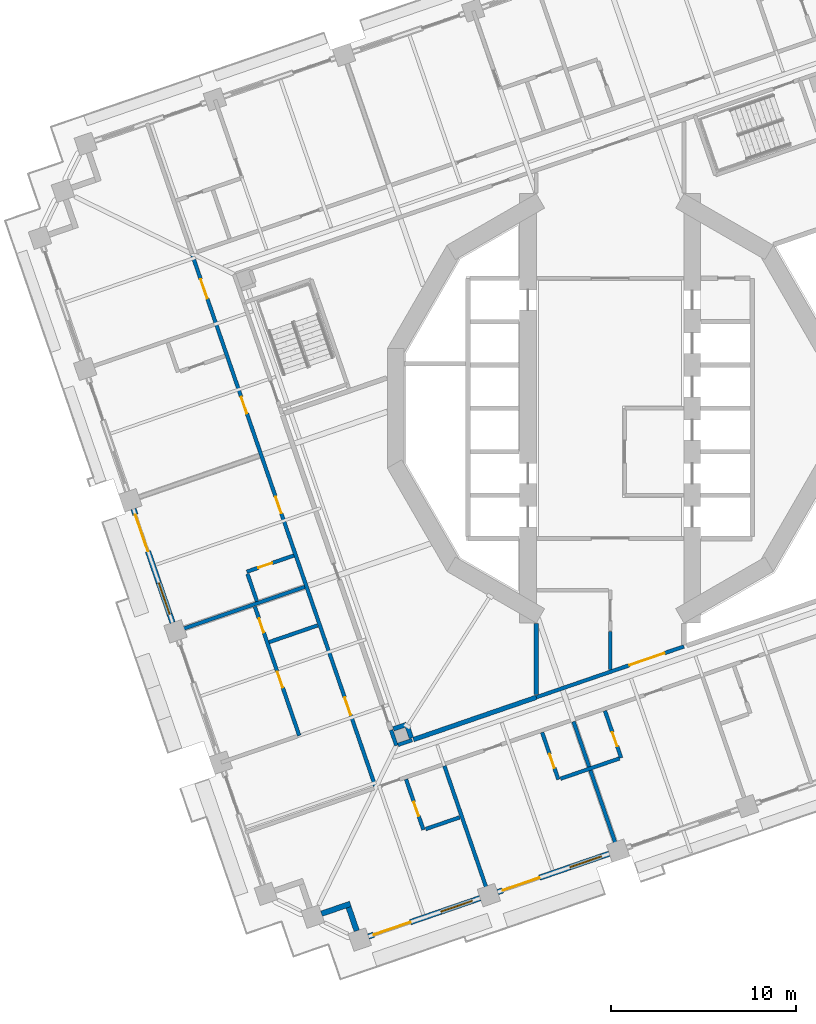
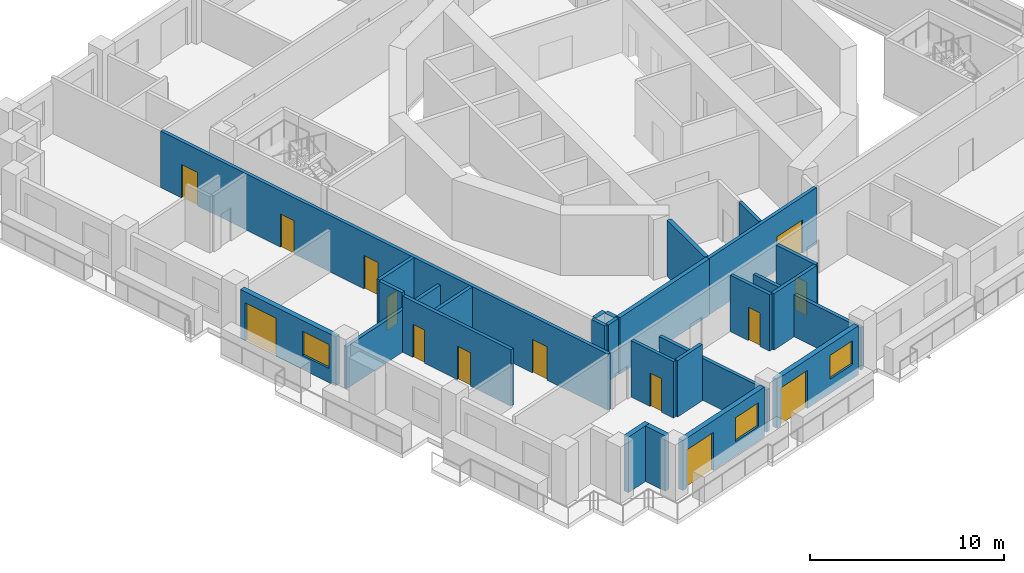
# One storey, part 8 of 21: 26 walls, 14 doors, 3 windows, 17 openings.
"""IFC4 building model written with IfcOpenShell, lengths in metres."""

from ifc_helpers import new_model, si_unit, direction, frame, frame_2d, origin, place, context, subcontext, project, spatial, rectangle, extrude, material, layer, layer_set, type_object, element, fill, save


model = new_model("IFC4")

# Units and contexts
model_context = context("Model", 3, precision=1e-05, world=origin(), true_north=direction((0.0, 1.0)))
body_context = subcontext(model_context, "Body", "Model", "MODEL_VIEW")
ifc_project = project(units=[si_unit("LENGTHUNIT", "METRE"), si_unit("AREAUNIT", "SQUARE_METRE"), si_unit("VOLUMEUNIT", "CUBIC_METRE"), si_unit("PLANEANGLEUNIT", "RADIAN"), si_unit("MASSUNIT", "GRAM", prefix="KILO")], contexts=[model_context])

# Site, building, storey
site_placement = place(None, origin())
site = spatial("IfcSite", under=ifc_project, at=site_placement, CompositionType="ELEMENT")
building_placement = place(site_placement, origin())
building = spatial("IfcBuilding", under=site, at=building_placement, Name="Cantera Rosa Tower", CompositionType="ELEMENT")
storey_placement = place(building_placement, frame((0.0, 0.0, 119.300048828125)))
storey = spatial("IfcBuildingStorey", under=building, at=storey_placement, Name="L24", CompositionType="ELEMENT", Elevation=119.300048828125)

# Wall, openings, doors
ifc_material_1 = material(Name="Gypsum board partition")
ifc_layer_1 = layer(ifc_material_1, 0.199951171875)
ifc_layer_set_1 = layer_set([ifc_layer_1], Name="CORRIDOR WALL 200 H3550")
wall_type_1 = type_object("IfcWallType", Name="CORRIDOR WALL 200 H3550", PredefinedType="PARTITIONING", material=ifc_layer_set_1)
wall_1_placement = place(storey_placement, frame((-22.656005859375, 8.359375, 0.0), z_axis=(0.0, 0.0, 1.0), x_axis=(0.325572380533, -0.945517120434, 0.0)))
wall_1 = element("IfcWall", 1, at=wall_1_placement, inside=storey, type_object=wall_type_1, Name="CORRIDOR WALL L24-004", PredefinedType="PARTITIONING", context=body_context, shape_type="SweptSolid", body=[
    extrude(rectangle(XDim=30.580078125, YDim=0.199951171875, at=frame_2d((15.2900390625, 0.0))), origin(), (0.0, 0.0, 1.0), 3.550048828125),
])
opening_1_placement = place(wall_1_placement, frame((8.18505859375, 0.0, 0.0)))
opening_1 = element("IfcOpeningElement", 2, at=opening_1_placement, cuts=wall_1, Name="Opening L24-027", PredefinedType="OPENING", context=body_context, shape_type="SweptSolid", body=[
    extrude(rectangle(XDim=0.949951171875, YDim=2.10009765625, at=frame_2d((0.47509765625, 1.050048828125))), frame((0.0, 0.10986328125, 0.0), z_axis=(0.0, -1.0, 0.0), x_axis=(1.0, 0.0, 0.0)), (0.0, 0.0, 1.0), 0.219970703125),
])
opening_2_placement = place(wall_1_placement, frame((13.905029296875, 0.0, 0.0)))
opening_2 = element("IfcOpeningElement", 3, at=opening_2_placement, cuts=wall_1, Name="Opening L24-029", PredefinedType="OPENING", context=body_context, shape_type="SweptSolid", body=[
    extrude(rectangle(XDim=0.949951171875, YDim=2.10009765625, at=frame_2d((0.47509765625, 1.050048828125))), frame((0.0, 0.10986328125, 0.0), z_axis=(0.0, -1.0, 0.0), x_axis=(1.0, 0.0, 0.0)), (0.0, 0.0, 1.0), 0.219970703125),
])
opening_3_placement = place(wall_1_placement, frame((25.409912109375, 0.0, 0.0)))
opening_3 = element("IfcOpeningElement", 4, at=opening_3_placement, cuts=wall_1, Name="Opening L24-031", PredefinedType="OPENING", context=body_context, shape_type="SweptSolid", body=[
    extrude(rectangle(XDim=1.0, YDim=2.10009765625, at=frame_2d((0.5, 1.050048828125))), frame((0.0, 0.10986328125, 0.0), z_axis=(0.0, -1.0, 0.0), x_axis=(1.0, 0.0, 0.0)), (0.0, 0.0, 1.0), 0.219970703125),
])
opening_4_placement = place(wall_1_placement, frame((1.43994140625, 0.0, 0.0)))
opening_4 = element("IfcOpeningElement", 5, at=opening_4_placement, cuts=wall_1, Name="Opening L24-034", PredefinedType="OPENING", context=body_context, shape_type="SweptSolid", body=[
    extrude(rectangle(XDim=1.10009765625, YDim=2.10009765625, at=frame_2d((0.550048828125, 1.050048828125))), frame((0.0, 0.10986328125, 0.0), z_axis=(0.0, -1.0, 0.0), x_axis=(1.0, 0.0, 0.0)), (0.0, 0.0, 1.0), 0.219970703125),
])
ifc_material_2 = material(Name="Timber door leaf", Category="wood")
door_type_1 = type_object("IfcDoorType", Name="ENTRANCE DOOR 1000x2100", OperationType="NOTDEFINED", PredefinedType="DOOR", material=ifc_material_2)
door_1_placement = place(opening_3_placement, origin())
door_1 = element("IfcDoor", 6, at=door_1_placement, inside=storey, type_object=door_type_1, Name="DOOR L24-031", OperationType="NOTDEFINED", OverallHeight=2.10009765625, OverallWidth=1.0, PredefinedType="DOOR", context=body_context, shape_type="SweptSolid", body=[
    extrude(rectangle(XDim=1.0, YDim=2.10009765625, at=frame_2d((0.5, 1.050048828125))), frame((0.0, 0.02490234375, 0.0), z_axis=(0.0, -1.0, 0.0), x_axis=(1.0, 0.0, 0.0)), (0.0, 0.0, 1.0), 0.050048828125),
])
fill(opening_3, door_1)
ifc_material_3 = material(Name="Timber door leaf", Category="wood")
door_type_2 = type_object("IfcDoorType", Name="ROOM DOOR 1100x2100", OperationType="NOTDEFINED", PredefinedType="DOOR", material=ifc_material_3)
door_2_placement = place(opening_4_placement, origin())
door_2 = element("IfcDoor", 7, at=door_2_placement, inside=storey, type_object=door_type_2, Name="DOOR L24-034", OperationType="NOTDEFINED", OverallHeight=2.10009765625, OverallWidth=1.10009765625, PredefinedType="DOOR", context=body_context, shape_type="SweptSolid", body=[
    extrude(rectangle(XDim=1.10009765625, YDim=2.10009765625, at=frame_2d((0.550048828125, 1.050048828125))), frame((0.0, 0.02490234375, 0.0), z_axis=(0.0, -1.0, 0.0), x_axis=(1.0, 0.0, 0.0)), (0.0, 0.0, 1.0), 0.050048828125),
])
fill(opening_4, door_2)
ifc_material_4 = material(Name="Timber door leaf", Category="wood")
door_type_3 = type_object("IfcDoorType", Name="ROOM DOOR 950x2100", OperationType="NOTDEFINED", PredefinedType="DOOR", material=ifc_material_4)
door_3_placement = place(opening_1_placement, origin())
door_3 = element("IfcDoor", 8, at=door_3_placement, inside=storey, type_object=door_type_3, Name="DOOR L24-027", OperationType="NOTDEFINED", OverallHeight=2.10009765625, OverallWidth=0.949951171875, PredefinedType="DOOR", context=body_context, shape_type="SweptSolid", body=[
    extrude(rectangle(XDim=0.949951171875, YDim=2.10009765625, at=frame_2d((0.47509765625, 1.050048828125))), frame((0.0, 0.02490234375, 0.0), z_axis=(0.0, -1.0, 0.0), x_axis=(1.0, 0.0, 0.0)), (0.0, 0.0, 1.0), 0.050048828125),
])
fill(opening_1, door_3)
door_4_placement = place(opening_2_placement, origin())
door_4 = element("IfcDoor", 9, at=door_4_placement, inside=storey, type_object=door_type_3, Name="DOOR L24-029", OperationType="NOTDEFINED", OverallHeight=2.10009765625, OverallWidth=0.949951171875, PredefinedType="DOOR", context=body_context, shape_type="SweptSolid", body=[
    extrude(rectangle(XDim=0.949951171875, YDim=2.10009765625, at=frame_2d((0.47509765625, 1.050048828125))), frame((0.0, 0.02490234375, 0.0), z_axis=(0.0, -1.0, 0.0), x_axis=(1.0, 0.0, 0.0)), (0.0, 0.0, 1.0), 0.050048828125),
])
fill(opening_2, door_4)

# Walls
wall_2_placement = place(storey_placement, frame((-11.87060546875, -17.4345703125, 0.0), z_axis=(0.0, 0.0, 1.0), x_axis=(0.325699973339, -0.94547317644, 0.0)))
element("IfcWall", 10, at=wall_2_placement, inside=storey, type_object=wall_type_1, Name="CORRIDOR WALL L24-030", PredefinedType="PARTITIONING", context=body_context, shape_type="SweptSolid", body=[
    extrude(rectangle(XDim=0.880126953125, YDim=0.199951171875, at=frame_2d((0.43994140625, 0.0))), origin(), (0.0, 0.0, 1.0), 3.550048828125),
])
wall_3_placement = place(storey_placement, frame((-11.489501953125, -18.23388671875, 0.0), z_axis=(0.0, 0.0, 1.0), x_axis=(0.945586856903, 0.325369783557, 0.0)))
element("IfcWall", 11, at=wall_3_placement, inside=storey, type_object=wall_type_1, Name="CORRIDOR WALL L24-031", PredefinedType="PARTITIONING", context=body_context, shape_type="SweptSolid", body=[
    extrude(rectangle(XDim=0.7998046875, YDim=0.199951171875, at=frame_2d((0.39990234375, 0.0))), origin(), (0.0, 0.0, 1.0), 3.550048828125),
])

# Wall, opening, door
wall_4_placement = place(storey_placement, frame((-4.0, -15.6552734375, 0.0), z_axis=(0.0, 0.0, 1.0), x_axis=(0.945517929243, 0.325570031606, 0.0)))
wall_4 = element("IfcWall", 12, at=wall_4_placement, inside=storey, type_object=wall_type_1, Name="CORRIDOR WALL L24-048", PredefinedType="PARTITIONING", context=body_context, shape_type="SweptSolid", body=[
    extrude(rectangle(XDim=8.4609375, YDim=0.199951171875, at=frame_2d((4.23046875, 0.0))), origin(), (0.0, 0.0, 1.0), 3.550048828125),
])
opening_5_placement = place(wall_4_placement, frame((5.345703125, 0.0, 0.0)))
opening_5 = element("IfcOpeningElement", 13, at=opening_5_placement, cuts=wall_4, Name="Opening L24-009", PredefinedType="OPENING", context=body_context, shape_type="SweptSolid", body=[
    extrude(rectangle(XDim=2.0, YDim=2.10009765625, at=frame_2d((1.0, 1.050048828125))), frame((0.0, 0.10986328125, 0.0), z_axis=(0.0, -1.0, 0.0), x_axis=(1.0, 0.0, 0.0)), (0.0, 0.0, 1.0), 0.219970703125),
])
ifc_material_5 = material(Name="Steel S355J2 (EN 10025-2)", Category="steel")
door_type_4 = type_object("IfcDoorType", Name="LOBBY SCREEN DOOR 2000x2100", OperationType="NOTDEFINED", PredefinedType="DOOR", material=ifc_material_5)
door_5_placement = place(opening_5_placement, origin())
door_5 = element("IfcDoor", 14, at=door_5_placement, inside=storey, type_object=door_type_4, Name="DOOR L24-009", OperationType="NOTDEFINED", OverallHeight=2.10009765625, OverallWidth=2.0, PredefinedType="DOOR", context=body_context, shape_type="SweptSolid", body=[
    extrude(rectangle(XDim=2.0, YDim=2.10009765625, at=frame_2d((1.0, 1.050048828125))), frame((0.0, 0.02490234375, 0.0), z_axis=(0.0, -1.0, 0.0), x_axis=(1.0, 0.0, 0.0)), (0.0, 0.0, 1.0), 0.050048828125),
])
fill(opening_5, door_5)

# Walls
wall_5_placement = place(storey_placement, frame((0.0, -14.137939453125, 0.0), z_axis=(0.0, 0.0, 1.0), x_axis=(0.0, 1.0, 0.0)))
element("IfcWall", 15, at=wall_5_placement, inside=storey, type_object=wall_type_1, Name="CORRIDOR WALL L24-060", PredefinedType="PARTITIONING", context=body_context, shape_type="SweptSolid", body=[
    extrude(rectangle(XDim=2.033935546875, YDim=0.199951171875, at=frame_2d((1.01708984375, 0.0))), origin(), (0.0, 0.0, 1.0), 3.550048828125),
])
ifc_material_6 = material(Name="Hollow clay masonry with cantera stone cladding", Category="masonry")
ifc_layer_2 = layer(ifc_material_6, 0.300048828125)
ifc_layer_set_2 = layer_set([ifc_layer_2], Name="EW-LOGGIA 300")
wall_type_2 = type_object("IfcWallType", Name="EW-LOGGIA 300", PredefinedType="SOLIDWALL", material=ifc_layer_set_2)
wall_6_placement = place(storey_placement, frame((-15.636962890625, -27.3828125, 0.0), z_axis=(0.0, 0.0, 1.0), x_axis=(0.945484566827, 0.325666906351, 0.0)))
element("IfcWall", 16, at=wall_6_placement, inside=storey, type_object=wall_type_2, Name="EN-L24-W22a", PredefinedType="SOLIDWALL", context=body_context, shape_type="SweptSolid", body=[
    extrude(rectangle(XDim=1.64990234375, YDim=0.300048828125, at=frame_2d((0.824951171875, 0.0))), origin(), (0.0, 0.0, 1.0), 3.5),
])
wall_7_placement = place(storey_placement, frame((-14.169921875, -27.0361328125, 0.0), z_axis=(0.0, 0.0, 1.0), x_axis=(0.325650742363, -0.945490134268, 0.0)))
element("IfcWall", 17, at=wall_7_placement, inside=storey, type_object=wall_type_2, Name="EN-L24-W22b", PredefinedType="SOLIDWALL", context=body_context, shape_type="SweptSolid", body=[
    extrude(rectangle(XDim=1.35009765625, YDim=0.300048828125, at=frame_2d((0.675048828125, 0.0))), origin(), (0.0, 0.0, 1.0), 3.5),
])

# Wall, openings, window, door
ifc_material_7 = material(Name="Hollow clay masonry with cantera stone cladding", Category="masonry")
ifc_layer_3 = layer(ifc_material_7, 0.300048828125)
ifc_layer_set_3 = layer_set([ifc_layer_3], Name="EW-LOGGIA 300 H3090")
wall_type_3 = type_object("IfcWallType", Name="EW-LOGGIA 300 H3090", PredefinedType="SOLIDWALL", material=ifc_layer_set_3)
wall_8_placement = place(storey_placement, frame((-25.833984375, -5.447509765625, 0.0), z_axis=(0.0, 0.0, 1.0), x_axis=(0.325580990241, -0.945514155787, 0.0)))
wall_8 = element("IfcWall", 18, at=wall_8_placement, inside=storey, type_object=wall_type_3, Name="EN-L24-W18", PredefinedType="SOLIDWALL", context=body_context, shape_type="SweptSolid", body=[
    extrude(rectangle(XDim=6.52001953125, YDim=0.300048828125, at=frame_2d((3.260009765625, 0.0))), origin(), (0.0, 0.0, 1.0), 3.08984375),
])
opening_6_placement = place(wall_8_placement, frame((0.330078125, 0.0, 0.0)))
opening_6 = element("IfcOpeningElement", 19, at=opening_6_placement, cuts=wall_8, Name="Opening L24-TD23", PredefinedType="OPENING", context=body_context, shape_type="SweptSolid", body=[
    extrude(rectangle(XDim=2.10009765625, YDim=2.39990234375, at=frame_2d((1.050048828125, 1.199951171875))), frame((0.0, 0.159912109375, 0.0), z_axis=(0.0, -1.0, 0.0), x_axis=(1.0, 0.0, 0.0)), (0.0, 0.0, 1.0), 0.320068359375),
])
opening_7_placement = place(wall_8_placement, frame((4.239990234375, 0.0, 0.89990234375)))
opening_7 = element("IfcOpeningElement", 20, at=opening_7_placement, cuts=wall_8, Name="Opening L24-W24", PredefinedType="OPENING", context=body_context, shape_type="SweptSolid", body=[
    extrude(rectangle(XDim=1.800048828125, YDim=1.5, at=frame_2d((0.89990234375, 0.75))), frame((0.0, 0.159912109375, 0.0), z_axis=(0.0, -1.0, 0.0), x_axis=(1.0, 0.0, 0.0)), (0.0, 0.0, 1.0), 0.320068359375),
])
ifc_material_8 = material(Name="Aluminium frame with clear glass", Category="aluminium")
window_type = type_object("IfcWindowType", Name="Hotel room window 1800x1500", PartitioningType="DOUBLE_PANEL_VERTICAL", PredefinedType="WINDOW", material=ifc_material_8)
window_1_placement = place(opening_7_placement, origin())
window_1 = element("IfcWindow", 21, at=window_1_placement, inside=storey, type_object=window_type, Name="WINDOW L24-W24", OverallHeight=1.5, OverallWidth=1.800048828125, PartitioningType="SINGLE_PANEL", PredefinedType="WINDOW", context=body_context, shape_type="SweptSolid", body=[
    extrude(rectangle(XDim=1.800048828125, YDim=1.5, at=frame_2d((0.89990234375, 0.75))), frame((0.0, 0.030029296875, 0.0), z_axis=(0.0, -1.0, 0.0), x_axis=(1.0, 0.0, 0.0)), (0.0, 0.0, 1.0), 0.06005859375),
])
fill(opening_7, window_1)
ifc_material_9 = material(Name="Aluminium frame with clear glass", Category="aluminium")
door_type_5 = type_object("IfcDoorType", Name="TD-H 2100x2400", OperationType="NOTDEFINED", PredefinedType="DOOR", material=ifc_material_9)
door_6_placement = place(opening_6_placement, origin())
door_6 = element("IfcDoor", 22, at=door_6_placement, inside=storey, type_object=door_type_5, Name="LOGGIA DOOR L24-TD23", OperationType="SLIDING_TO_LEFT", OverallHeight=2.39990234375, OverallWidth=2.10009765625, PredefinedType="DOOR", context=body_context, shape_type="SweptSolid", body=[
    extrude(rectangle(XDim=2.10009765625, YDim=2.39990234375, at=frame_2d((1.050048828125, 1.199951171875))), frame((0.0, 0.02490234375, 0.0), z_axis=(0.0, -1.0, 0.0), x_axis=(1.0, 0.0, 0.0)), (0.0, 0.0, 1.0), 0.050048828125),
])
fill(opening_6, door_6)

wall_9_placement = place(storey_placement, frame((-6.097900390625, -26.21337890625, 0.0), z_axis=(0.0, 0.0, 1.0), x_axis=(0.945524496524, 0.325550958337, 0.0)))
wall_9 = element("IfcWall", 23, at=wall_9_placement, inside=storey, type_object=wall_type_3, Name="EN-L24-W24", PredefinedType="SOLIDWALL", context=body_context, shape_type="SweptSolid", body=[
    extrude(rectangle(XDim=6.39990234375, YDim=0.300048828125, at=frame_2d((3.199951171875, 0.0))), origin(), (0.0, 0.0, 1.0), 3.08984375),
])
opening_8_placement = place(wall_9_placement, frame((0.300048828125, 0.0, 0.0)))
opening_8 = element("IfcOpeningElement", 24, at=opening_8_placement, cuts=wall_9, Name="Opening L24-TD31", PredefinedType="OPENING", context=body_context, shape_type="SweptSolid", body=[
    extrude(rectangle(XDim=2.10009765625, YDim=2.39990234375, at=frame_2d((1.050048828125, 1.199951171875))), frame((0.0, 0.159912109375, 0.0), z_axis=(0.0, -1.0, 0.0), x_axis=(1.0, 0.0, 0.0)), (0.0, 0.0, 1.0), 0.320068359375),
])
opening_9_placement = place(wall_9_placement, frame((4.14990234375, 0.0, 0.89990234375)))
opening_9 = element("IfcOpeningElement", 25, at=opening_9_placement, cuts=wall_9, Name="Opening L24-W32", PredefinedType="OPENING", context=body_context, shape_type="SweptSolid", body=[
    extrude(rectangle(XDim=1.800048828125, YDim=1.5, at=frame_2d((0.89990234375, 0.75))), frame((0.0, 0.159912109375, 0.0), z_axis=(0.0, -1.0, 0.0), x_axis=(1.0, 0.0, 0.0)), (0.0, 0.0, 1.0), 0.320068359375),
])
window_2_placement = place(opening_9_placement, origin())
window_2 = element("IfcWindow", 26, at=window_2_placement, inside=storey, type_object=window_type, Name="WINDOW L24-W32", OverallHeight=1.5, OverallWidth=1.800048828125, PartitioningType="SINGLE_PANEL", PredefinedType="WINDOW", context=body_context, shape_type="SweptSolid", body=[
    extrude(rectangle(XDim=1.800048828125, YDim=1.5, at=frame_2d((0.89990234375, 0.75))), frame((0.0, 0.030029296875, 0.0), z_axis=(0.0, -1.0, 0.0), x_axis=(1.0, 0.0, 0.0)), (0.0, 0.0, 1.0), 0.06005859375),
])
fill(opening_9, window_2)
door_7_placement = place(opening_8_placement, origin())
door_7 = element("IfcDoor", 27, at=door_7_placement, inside=storey, type_object=door_type_5, Name="LOGGIA DOOR L24-TD31", OperationType="SLIDING_TO_LEFT", OverallHeight=2.39990234375, OverallWidth=2.10009765625, PredefinedType="DOOR", context=body_context, shape_type="SweptSolid", body=[
    extrude(rectangle(XDim=2.10009765625, YDim=2.39990234375, at=frame_2d((1.050048828125, 1.199951171875))), frame((0.0, 0.02490234375, 0.0), z_axis=(0.0, -1.0, 0.0), x_axis=(1.0, 0.0, 0.0)), (0.0, 0.0, 1.0), 0.050048828125),
])
fill(opening_8, door_7)

ifc_material_10 = material(Name="Hollow clay masonry with cantera stone cladding", Category="masonry")
ifc_layer_4 = layer(ifc_material_10, 0.300048828125)
ifc_layer_set_4 = layer_set([ifc_layer_4], Name="EW-LOGGIA 300 H3140")
wall_type_4 = type_object("IfcWallType", Name="EW-LOGGIA 300 H3140", PredefinedType="SOLIDWALL", material=ifc_layer_set_4)
wall_10_placement = place(storey_placement, frame((-13.0947265625, -28.62255859375, 0.0), z_axis=(0.0, 0.0, 1.0), x_axis=(0.945524496524, 0.325550958337, 0.0)))
wall_10 = element("IfcWall", 28, at=wall_10_placement, inside=storey, type_object=wall_type_4, Name="EN-L24-W23", PredefinedType="SOLIDWALL", context=body_context, shape_type="SweptSolid", body=[
    extrude(rectangle(XDim=6.39990234375, YDim=0.300048828125, at=frame_2d((3.199951171875, 0.0))), origin(), (0.0, 0.0, 1.0), 3.139892578125),
])
opening_10_placement = place(wall_10_placement, frame((0.300048828125, 0.0, 0.0)))
opening_10 = element("IfcOpeningElement", 29, at=opening_10_placement, cuts=wall_10, Name="Opening L24-TD29", PredefinedType="OPENING", context=body_context, shape_type="SweptSolid", body=[
    extrude(rectangle(XDim=2.10009765625, YDim=2.39990234375, at=frame_2d((1.050048828125, 1.199951171875))), frame((0.0, 0.159912109375, 0.0), z_axis=(0.0, -1.0, 0.0), x_axis=(1.0, 0.0, 0.0)), (0.0, 0.0, 1.0), 0.320068359375),
])
opening_11_placement = place(wall_10_placement, frame((4.14990234375, 0.0, 0.89990234375)))
opening_11 = element("IfcOpeningElement", 30, at=opening_11_placement, cuts=wall_10, Name="Opening L24-W30", PredefinedType="OPENING", context=body_context, shape_type="SweptSolid", body=[
    extrude(rectangle(XDim=1.800048828125, YDim=1.5, at=frame_2d((0.89990234375, 0.75))), frame((0.0, 0.159912109375, 0.0), z_axis=(0.0, -1.0, 0.0), x_axis=(1.0, 0.0, 0.0)), (0.0, 0.0, 1.0), 0.320068359375),
])
window_3_placement = place(opening_11_placement, origin())
window_3 = element("IfcWindow", 31, at=window_3_placement, inside=storey, type_object=window_type, Name="WINDOW L24-W30", OverallHeight=1.5, OverallWidth=1.800048828125, PartitioningType="SINGLE_PANEL", PredefinedType="WINDOW", context=body_context, shape_type="SweptSolid", body=[
    extrude(rectangle(XDim=1.800048828125, YDim=1.5, at=frame_2d((0.89990234375, 0.75))), frame((0.0, 0.030029296875, 0.0), z_axis=(0.0, -1.0, 0.0), x_axis=(1.0, 0.0, 0.0)), (0.0, 0.0, 1.0), 0.06005859375),
])
fill(opening_11, window_3)
door_8_placement = place(opening_10_placement, origin())
door_8 = element("IfcDoor", 32, at=door_8_placement, inside=storey, type_object=door_type_5, Name="LOGGIA DOOR L24-TD29", OperationType="SLIDING_TO_LEFT", OverallHeight=2.39990234375, OverallWidth=2.10009765625, PredefinedType="DOOR", context=body_context, shape_type="SweptSolid", body=[
    extrude(rectangle(XDim=2.10009765625, YDim=2.39990234375, at=frame_2d((1.050048828125, 1.199951171875))), frame((0.0, 0.02490234375, 0.0), z_axis=(0.0, -1.0, 0.0), x_axis=(1.0, 0.0, 0.0)), (0.0, 0.0, 1.0), 0.050048828125),
])
fill(opening_10, door_8)

# Wall, opening, door
ifc_material_11 = material(Name="Gypsum board partition")
ifc_layer_5 = layer(ifc_material_11, 0.199951171875)
ifc_layer_set_5 = layer_set([ifc_layer_5], Name="PARTITION 200 H3550")
wall_type_5 = type_object("IfcWallType", Name="PARTITION 200 H3550", PredefinedType="PARTITIONING", material=ifc_layer_set_5)
wall_11_placement = place(storey_placement, frame((-19.6904296875, -8.852783203125, 0.0), z_axis=(0.0, 0.0, 1.0), x_axis=(0.945526634763, 0.325544748006, 0.0)))
wall_11 = element("IfcWall", 33, at=wall_11_placement, inside=storey, type_object=wall_type_5, Name="PARTITION L24-013", PredefinedType="PARTITIONING", context=body_context, shape_type="SweptSolid", body=[
    extrude(rectangle(XDim=2.69970703125, YDim=0.199951171875, at=frame_2d((1.349853515625, 0.0))), origin(), (0.0, 0.0, 1.0), 3.550048828125),
])
opening_12_placement = place(wall_11_placement, frame((0.6640625, 0.0, 0.0)))
opening_12 = element("IfcOpeningElement", 34, at=opening_12_placement, cuts=wall_11, Name="Opening L24-030", PredefinedType="OPENING", context=body_context, shape_type="SweptSolid", body=[
    extrude(rectangle(XDim=0.800048828125, YDim=2.10009765625, at=frame_2d((0.39990234375, 1.050048828125))), frame((0.0, 0.10986328125, 0.0), z_axis=(0.0, -1.0, 0.0), x_axis=(1.0, 0.0, 0.0)), (0.0, 0.0, 1.0), 0.219970703125),
])
ifc_material_12 = material(Name="Timber door leaf", Category="wood")
door_type_6 = type_object("IfcDoorType", Name="BATHROOM DOOR 800x2100", OperationType="NOTDEFINED", PredefinedType="DOOR", material=ifc_material_12)
door_9_placement = place(opening_12_placement, origin())
door_9 = element("IfcDoor", 35, at=door_9_placement, inside=storey, type_object=door_type_6, Name="DOOR L24-030", OperationType="NOTDEFINED", OverallHeight=2.10009765625, OverallWidth=0.800048828125, PredefinedType="DOOR", context=body_context, shape_type="SweptSolid", body=[
    extrude(rectangle(XDim=0.800048828125, YDim=2.10009765625, at=frame_2d((0.39990234375, 1.050048828125))), frame((0.0, 0.02490234375, 0.0), z_axis=(0.0, -1.0, 0.0), x_axis=(1.0, 0.0, 0.0)), (0.0, 0.0, 1.0), 0.050048828125),
])
fill(opening_12, door_9)

# Wall, openings, doors
wall_12_placement = place(storey_placement, frame((-19.25439453125, -10.7333984375, 0.0), z_axis=(0.0, 0.0, 1.0), x_axis=(0.325565645331, -0.945519439557, 0.0)))
wall_12 = element("IfcWall", 36, at=wall_12_placement, inside=storey, type_object=wall_type_5, Name="PARTITION L24-014", PredefinedType="PARTITIONING", context=body_context, shape_type="SweptSolid", body=[
    extrude(rectangle(XDim=7.39990234375, YDim=0.199951171875, at=frame_2d((3.699951171875, 0.0))), origin(), (0.0, 0.0, 1.0), 3.550048828125),
])
opening_13_placement = place(wall_12_placement, frame((3.739990234375, 0.0, 0.0)))
opening_13 = element("IfcOpeningElement", 37, at=opening_13_placement, cuts=wall_12, Name="Opening L24-032", PredefinedType="OPENING", context=body_context, shape_type="SweptSolid", body=[
    extrude(rectangle(XDim=0.89990234375, YDim=2.10009765625, at=frame_2d((0.449951171875, 1.050048828125))), frame((0.0, 0.10986328125, 0.0), z_axis=(0.0, -1.0, 0.0), x_axis=(1.0, 0.0, 0.0)), (0.0, 0.0, 1.0), 0.219970703125),
])
opening_14_placement = place(wall_12_placement, frame((0.68994140625, 0.0, 0.0)))
opening_14 = element("IfcOpeningElement", 38, at=opening_14_placement, cuts=wall_12, Name="Opening L24-033", PredefinedType="OPENING", context=body_context, shape_type="SweptSolid", body=[
    extrude(rectangle(XDim=0.800048828125, YDim=2.10009765625, at=frame_2d((0.39990234375, 1.050048828125))), frame((0.0, 0.10986328125, 0.0), z_axis=(0.0, -1.0, 0.0), x_axis=(1.0, 0.0, 0.0)), (0.0, 0.0, 1.0), 0.219970703125),
])
door_10_placement = place(opening_14_placement, origin())
door_10 = element("IfcDoor", 39, at=door_10_placement, inside=storey, type_object=door_type_6, Name="DOOR L24-033", OperationType="NOTDEFINED", OverallHeight=2.10009765625, OverallWidth=0.800048828125, PredefinedType="DOOR", context=body_context, shape_type="SweptSolid", body=[
    extrude(rectangle(XDim=0.800048828125, YDim=2.10009765625, at=frame_2d((0.39990234375, 1.050048828125))), frame((0.0, 0.02490234375, 0.0), z_axis=(0.0, -1.0, 0.0), x_axis=(1.0, 0.0, 0.0)), (0.0, 0.0, 1.0), 0.050048828125),
])
fill(opening_14, door_10)
ifc_material_13 = material(Name="Timber door leaf", Category="wood")
door_type_7 = type_object("IfcDoorType", Name="ROOM DOOR 900x2100", OperationType="NOTDEFINED", PredefinedType="DOOR", material=ifc_material_13)
door_11_placement = place(opening_13_placement, origin())
door_11 = element("IfcDoor", 40, at=door_11_placement, inside=storey, type_object=door_type_7, Name="DOOR L24-032", OperationType="NOTDEFINED", OverallHeight=2.10009765625, OverallWidth=0.89990234375, PredefinedType="DOOR", context=body_context, shape_type="SweptSolid", body=[
    extrude(rectangle(XDim=0.89990234375, YDim=2.10009765625, at=frame_2d((0.449951171875, 1.050048828125))), frame((0.0, 0.02490234375, 0.0), z_axis=(0.0, -1.0, 0.0), x_axis=(1.0, 0.0, 0.0)), (0.0, 0.0, 1.0), 0.050048828125),
])
fill(opening_13, door_11)

# Walls
wall_13_placement = place(storey_placement, frame((-19.13720703125, -10.460205078125, 0.0), z_axis=(0.0, 0.0, 1.0), x_axis=(-0.325576351052, 0.945515753246, 0.0)))
element("IfcWall", 41, at=wall_13_placement, inside=storey, type_object=wall_type_5, Name="PARTITION L24-016", PredefinedType="PARTITIONING", context=body_context, shape_type="SweptSolid", body=[
    extrude(rectangle(XDim=1.580078125, YDim=0.199951171875, at=frame_2d((0.7900390625, 0.0))), origin(), (0.0, 0.0, 1.0), 3.550048828125),
])
wall_14_placement = place(storey_placement, frame((-15.854248046875, -11.762451171875, 0.0), z_axis=(0.0, 0.0, 1.0), x_axis=(-0.945528723608, -0.325538681008, 0.0)))
element("IfcWall", 42, at=wall_14_placement, inside=storey, type_object=wall_type_5, Name="PARTITION L24-024", PredefinedType="PARTITIONING", context=body_context, shape_type="SweptSolid", body=[
    extrude(rectangle(XDim=2.780029296875, YDim=0.199951171875, at=frame_2d((1.39013671875, 0.0))), origin(), (0.0, 0.0, 1.0), 3.550048828125),
])

# Wall, opening, door
wall_15_placement = place(storey_placement, frame((-10.115966796875, -22.837646484375, 0.0), z_axis=(0.0, 0.0, 1.0), x_axis=(-0.325557359554, 0.945522292514, 0.0)))
wall_15 = element("IfcWall", 43, at=wall_15_placement, inside=storey, type_object=wall_type_5, Name="PARTITION L24-036", PredefinedType="PARTITIONING", context=body_context, shape_type="SweptSolid", body=[
    extrude(rectangle(XDim=2.89990234375, YDim=0.199951171875, at=frame_2d((1.449951171875, 0.0))), origin(), (0.0, 0.0, 1.0), 3.550048828125),
])
opening_15_placement = place(wall_15_placement, frame((0.800048828125, 0.0, 0.0)))
opening_15 = element("IfcOpeningElement", 44, at=opening_15_placement, cuts=wall_15, Name="Opening L24-043", PredefinedType="OPENING", context=body_context, shape_type="SweptSolid", body=[
    extrude(rectangle(XDim=0.800048828125, YDim=2.10009765625, at=frame_2d((0.39990234375, 1.050048828125))), frame((0.0, 0.10986328125, 0.0), z_axis=(0.0, -1.0, 0.0), x_axis=(1.0, 0.0, 0.0)), (0.0, 0.0, 1.0), 0.219970703125),
])
door_12_placement = place(opening_15_placement, origin())
door_12 = element("IfcDoor", 45, at=door_12_placement, inside=storey, type_object=door_type_6, Name="DOOR L24-043", OperationType="NOTDEFINED", OverallHeight=2.10009765625, OverallWidth=0.800048828125, PredefinedType="DOOR", context=body_context, shape_type="SweptSolid", body=[
    extrude(rectangle(XDim=0.800048828125, YDim=2.10009765625, at=frame_2d((0.39990234375, 1.050048828125))), frame((0.0, 0.02490234375, 0.0), z_axis=(0.0, -1.0, 0.0), x_axis=(1.0, 0.0, 0.0)), (0.0, 0.0, 1.0), 0.050048828125),
])
fill(opening_15, door_12)

# Wall
wall_16_placement = place(storey_placement, frame((-8.149169921875, -22.160400390625, 0.0), z_axis=(0.0, 0.0, 1.0), x_axis=(-0.945510558394, -0.325591437181, 0.0)))
element("IfcWall", 46, at=wall_16_placement, inside=storey, type_object=wall_type_5, Name="PARTITION L24-037", PredefinedType="PARTITIONING", context=body_context, shape_type="SweptSolid", body=[
    extrude(rectangle(XDim=1.9599609375, YDim=0.199951171875, at=frame_2d((0.97998046875, 0.0))), origin(), (0.0, 0.0, 1.0), 3.550048828125),
])

# Wall, opening, door
wall_17_placement = place(storey_placement, frame((-2.805908203125, -20.109130859375, 0.0), z_axis=(0.0, 0.0, 1.0), x_axis=(-0.325597751787, 0.945508383903, 0.0)))
wall_17 = element("IfcWall", 47, at=wall_17_placement, inside=storey, type_object=wall_type_5, Name="PARTITION L24-053", PredefinedType="PARTITIONING", context=body_context, shape_type="SweptSolid", body=[
    extrude(rectangle(XDim=2.7001953125, YDim=0.199951171875, at=frame_2d((1.35009765625, 0.0))), origin(), (0.0, 0.0, 1.0), 3.550048828125),
])
opening_16_placement = place(wall_17_placement, frame((0.6640625, 0.0, 0.0)))
opening_16 = element("IfcOpeningElement", 48, at=opening_16_placement, cuts=wall_17, Name="Opening L24-036", PredefinedType="OPENING", context=body_context, shape_type="SweptSolid", body=[
    extrude(rectangle(XDim=0.800048828125, YDim=2.10009765625, at=frame_2d((0.39990234375, 1.050048828125))), frame((0.0, 0.10986328125, 0.0), z_axis=(0.0, -1.0, 0.0), x_axis=(1.0, 0.0, 0.0)), (0.0, 0.0, 1.0), 0.219970703125),
])
door_13_placement = place(opening_16_placement, origin())
door_13 = element("IfcDoor", 49, at=door_13_placement, inside=storey, type_object=door_type_6, Name="DOOR L24-036", OperationType="NOTDEFINED", OverallHeight=2.10009765625, OverallWidth=0.800048828125, PredefinedType="DOOR", context=body_context, shape_type="SweptSolid", body=[
    extrude(rectangle(XDim=0.800048828125, YDim=2.10009765625, at=frame_2d((0.39990234375, 1.050048828125))), frame((0.0, 0.02490234375, 0.0), z_axis=(0.0, -1.0, 0.0), x_axis=(1.0, 0.0, 0.0)), (0.0, 0.0, 1.0), 0.050048828125),
])
fill(opening_16, door_13)

wall_18_placement = place(storey_placement, frame((-0.28125, -16.38427734375, 0.0), z_axis=(0.0, 0.0, 1.0), x_axis=(0.325625589912, -0.945498797035, 0.0)))
wall_18 = element("IfcWall", 50, at=wall_18_placement, inside=storey, type_object=wall_type_5, Name="PARTITION L24-059", PredefinedType="PARTITIONING", context=body_context, shape_type="SweptSolid", body=[
    extrude(rectangle(XDim=2.699951171875, YDim=0.199951171875, at=frame_2d((1.35009765625, 0.0))), origin(), (0.0, 0.0, 1.0), 3.550048828125),
])
opening_17_placement = place(wall_18_placement, frame((1.236083984375, 0.0, 0.0)))
opening_17 = element("IfcOpeningElement", 51, at=opening_17_placement, cuts=wall_18, Name="Opening L24-038", PredefinedType="OPENING", context=body_context, shape_type="SweptSolid", body=[
    extrude(rectangle(XDim=0.800048828125, YDim=2.10009765625, at=frame_2d((0.39990234375, 1.050048828125))), frame((0.0, 0.10986328125, 0.0), z_axis=(0.0, -1.0, 0.0), x_axis=(1.0, 0.0, 0.0)), (0.0, 0.0, 1.0), 0.219970703125),
])
door_14_placement = place(opening_17_placement, origin())
door_14 = element("IfcDoor", 52, at=door_14_placement, inside=storey, type_object=door_type_6, Name="DOOR L24-038", OperationType="NOTDEFINED", OverallHeight=2.10009765625, OverallWidth=0.800048828125, PredefinedType="DOOR", context=body_context, shape_type="SweptSolid", body=[
    extrude(rectangle(XDim=0.800048828125, YDim=2.10009765625, at=frame_2d((0.39990234375, 1.050048828125))), frame((0.0, 0.02490234375, 0.0), z_axis=(0.0, -1.0, 0.0), x_axis=(1.0, 0.0, 0.0)), (0.0, 0.0, 1.0), 0.050048828125),
])
fill(opening_17, door_14)

# Walls
wall_19_placement = place(storey_placement, frame((0.50341796875, -18.969482421875, 0.0), z_axis=(0.0, 0.0, 1.0), x_axis=(-0.945501863909, -0.325616684683, 0.0)))
element("IfcWall", 53, at=wall_19_placement, inside=storey, type_object=wall_type_5, Name="PARTITION L24-063", PredefinedType="PARTITIONING", context=body_context, shape_type="SweptSolid", body=[
    extrude(rectangle(XDim=3.3798828125, YDim=0.199951171875, at=frame_2d((1.68994140625, 0.0))), origin(), (0.0, 0.0, 1.0), 3.550048828125),
])
ifc_material_14 = material(Name="Gypsum board partition")
ifc_layer_6 = layer(ifc_material_14, 0.199951171875)
ifc_layer_set_6 = layer_set([ifc_layer_6], Name="PARTY WALL 200 H2650")
wall_type_6 = type_object("IfcWallType", Name="PARTY WALL 200 H2650", PredefinedType="PARTITIONING", material=ifc_layer_set_6)
for number, where, z_axis, x_axis, name in (
    (54, (-16.551513671875, -9.67578125, 0.0), (0.0, 0.0, 1.0), (-0.945520034471, -0.325563917555, 0.0), "PARTY WALL L24-022"),
    (55, (-6.58056640625, -26.347900390625, 0.0), (0.0, 0.0, 1.0), (-0.325563917555, 0.945520034471, 0.0), "PARTY WALL L24-045"),
    (56, (-1.983154296875, -16.97021484375, 0.0), (0.0, 0.0, 1.0), (0.325563917555, -0.945520034471, 0.0), "PARTY WALL L24-056"),
):
    element("IfcWall", number, at=place(storey_placement, frame(where, z_axis=z_axis, x_axis=x_axis)), inside=storey, type_object=wall_type_6, Name=name, PredefinedType="PARTITIONING", context=body_context, shape_type="SweptSolid", body=[
        extrude(rectangle(XDim=7.3701171875, YDim=0.199951171875, at=frame_2d((3.68505859375, 0.0))), origin(), (0.0, 0.0, 1.0), 2.64990234375),
    ])
ifc_material_15 = material(Name="Masonry blockwork", Category="masonry")
ifc_layer_7 = layer(ifc_material_15, 0.25)
ifc_layer_set_7 = layer_set([ifc_layer_7], Name="SHAFT WALL 250 H3550")
wall_type_7 = type_object("IfcWallType", Name="SHAFT WALL 250 H3550", PredefinedType="SOLIDWALL", material=ifc_layer_set_7)
wall_20_placement = place(storey_placement, frame((-11.026123046875, -17.12255859375, 0.0), z_axis=(0.0, 0.0, 1.0), x_axis=(-0.945454887276, -0.32575306004, 0.0)))
element("IfcWall", 57, at=wall_20_placement, inside=storey, type_object=wall_type_7, Name="SHAFT WALL L24-033", PredefinedType="SOLIDWALL", context=body_context, shape_type="SweptSolid", body=[
    extrude(rectangle(XDim=0.760009765625, YDim=0.25, at=frame_2d((0.3798828125, 0.0))), origin(), (0.0, 0.0, 1.0), 3.550048828125),
])
wall_21_placement = place(storey_placement, frame((-10.772216796875, -17.860107421875, 0.0), z_axis=(0.0, 0.0, 1.0), x_axis=(-0.325708576696, 0.945470212681, 0.0)))
element("IfcWall", 58, at=wall_21_placement, inside=storey, type_object=wall_type_7, Name="SHAFT WALL L24-034", PredefinedType="SOLIDWALL", context=body_context, shape_type="SweptSolid", body=[
    extrude(rectangle(XDim=0.64013671875, YDim=0.25, at=frame_2d((0.320068359375, 0.0))), origin(), (0.0, 0.0, 1.0), 3.550048828125),
])
wall_22_placement = place(storey_placement, frame((-10.657470703125, -17.947509765625, 0.0), z_axis=(0.0, 0.0, 1.0), x_axis=(0.945523588785, 0.325553594745, 0.0)))
element("IfcWall", 59, at=wall_22_placement, inside=storey, type_object=wall_type_7, Name="SHAFT WALL L24-035", PredefinedType="SOLIDWALL", context=body_context, shape_type="SweptSolid", body=[
    extrude(rectangle(XDim=7.041015625, YDim=0.25, at=frame_2d((3.5205078125, 0.0))), origin(), (0.0, 0.0, 1.0), 3.550048828125),
])
wall_23_placement = place(storey_placement, frame((-4.0, -11.667236328125, 0.0), z_axis=(0.0, 0.0, 1.0), x_axis=(0.0, -1.0, 0.0)))
element("IfcWall", 60, at=wall_23_placement, inside=storey, type_object=wall_type_7, Name="SHAFT WALL L24-049", PredefinedType="SOLIDWALL", context=body_context, shape_type="SweptSolid", body=[
    extrude(rectangle(XDim=3.847900390625, YDim=0.25, at=frame_2d((1.923828125, 0.0))), origin(), (0.0, 0.0, 1.0), 3.550048828125),
])

save(model, "model.ifc")
